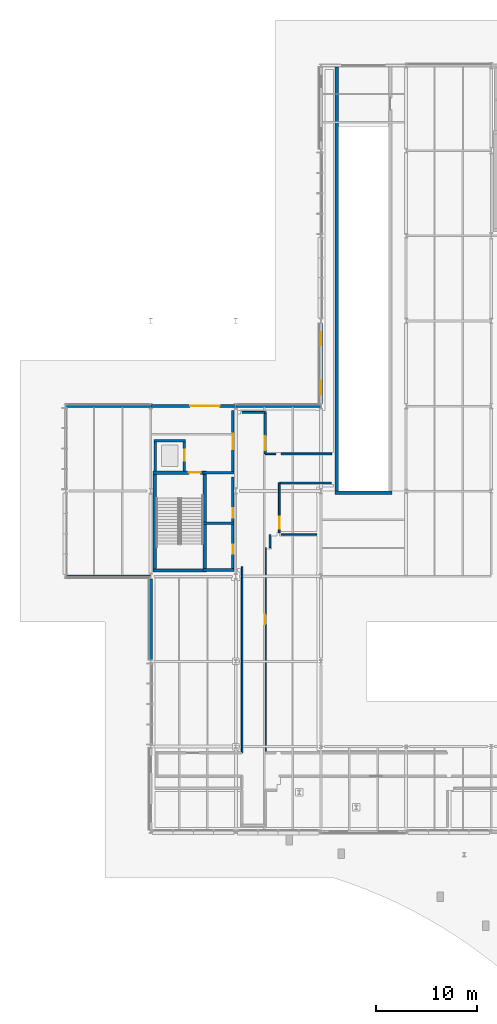
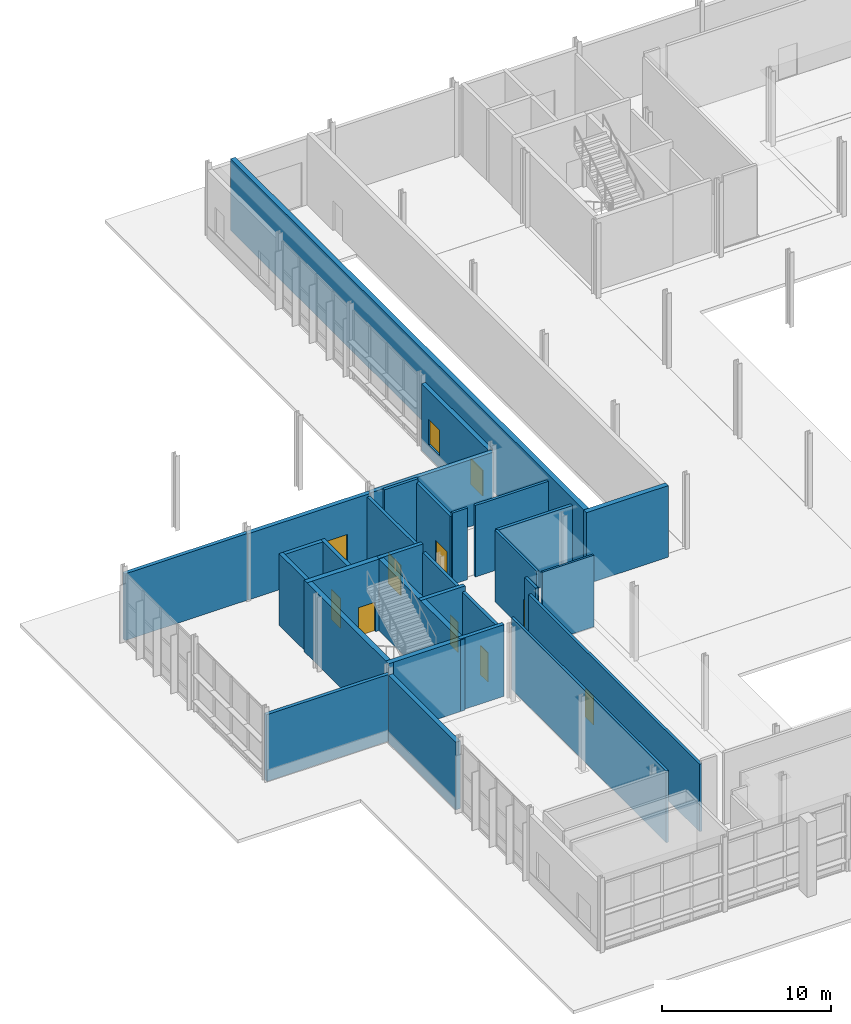
# One storey, part 88 of 124: 31 walls, 9 doors, 2 windows, 11 openings.
"""IFC4 building model written with IfcOpenShell, lengths in metres."""

import ifcopenshell
import ifcopenshell.guid

model = None  # the IFC model being written
_history = None  # IfcOwnerHistory: only IFC2X3 demands one
_inside = {}  # id of a spatial element -> (the spatial element, [elements in it])
_under = {}  # id of a project, library or spatial element -> (it, [spatial elements below it])
_declared = {}  # id of a project -> (the project, [libraries it declares])
_typed = {}  # id of a type object -> (the type object, [elements of that type])
_made_of = {}  # id of a material, layer set ... -> (it, [elements and type objects made of it])


def new_model(schema):
    """Start an empty IFC model of exactly this schema.

    Asked for "IFC4X3", IfcOpenShell would pick the latest addendum, in which some entities
    have other attributes; the version numbers below select the first issue.
    IFC2X3 requires an IfcOwnerHistory on every rooted entity: one is made here for all.
    """
    global model, _history
    if schema == "IFC4X3":
        model = ifcopenshell.file(schema_version=(4, 3, 0, 0))
    else:
        model = ifcopenshell.file(schema=schema)
    _inside.clear()
    _under.clear()
    _declared.clear()
    _typed.clear()
    _made_of.clear()
    _history = None
    if model.schema == "IFC2X3":
        org = make("IfcOrganization", Name="unknown")
        user = make(
            "IfcPersonAndOrganization",
            ThePerson=make("IfcPerson", FamilyName="unknown"),
            TheOrganization=org,
        )
        app = make(
            "IfcApplication",
            ApplicationDeveloper=org,
            Version="unknown",
            ApplicationFullName="unknown",
            ApplicationIdentifier="unknown",
        )
        _history = make(
            "IfcOwnerHistory",
            OwningUser=user,
            OwningApplication=app,
            ChangeAction="ADDED",
            CreationDate=0,
        )
    return model


def make(cls, **values):
    """One entity of the class cls with the attributes given. An attribute that is None is left unset."""
    return model.create_entity(
        cls, **{name: value for name, value in values.items() if value is not None}
    )


def rooted(cls, **values):
    """An entity with a GlobalId (a new one), such as an element, a storey or a relation."""
    return make(cls, GlobalId=ifcopenshell.guid.new(), OwnerHistory=_history, **values)


def si_unit(unit_type, name, prefix=None):
    """IfcSIUnit, for example si_unit("LENGTHUNIT", "METRE", prefix="MILLI")."""
    return make("IfcSIUnit", UnitType=unit_type, Prefix=prefix, Name=name)


def assignment(units):
    """IfcUnitAssignment: the units of a project."""
    return None if units is None else make("IfcUnitAssignment", Units=units)


def point(xyz):
    """IfcCartesianPoint."""
    return None if xyz is None else make("IfcCartesianPoint", Coordinates=xyz)


def direction(xyz):
    """IfcDirection."""
    return None if xyz is None else make("IfcDirection", DirectionRatios=xyz)


def frame(location, z_axis=None, x_axis=None):
    """IfcAxis2Placement3D, a coordinate frame: its origin and axes. An axis left out is left unset."""
    return make(
        "IfcAxis2Placement3D",
        Location=point(location),
        Axis=direction(z_axis),
        RefDirection=direction(x_axis),
    )


def frame_2d(location, x_axis=None):
    """IfcAxis2Placement2D, a coordinate frame in the plane: its origin and x axis."""
    return make(
        "IfcAxis2Placement2D", Location=point(location), RefDirection=direction(x_axis)
    )


def origin():
    """The frame at (0, 0, 0) with its axes left unset."""
    return frame((0.0, 0.0, 0.0))


def place(relative_to, where):
    """IfcLocalPlacement: puts the frame where relative to a parent placement (None: the world)."""
    return make(
        "IfcLocalPlacement", PlacementRelTo=relative_to, RelativePlacement=where
    )


def context(
    kind, dimensions, precision=None, world=None, true_north=None, identifier=None
):
    """IfcGeometricRepresentationContext, for example the 3D "Model" context."""
    return make(
        "IfcGeometricRepresentationContext",
        ContextIdentifier=identifier,
        ContextType=kind,
        CoordinateSpaceDimension=dimensions,
        Precision=precision,
        WorldCoordinateSystem=world,
        TrueNorth=true_north,
    )


def subcontext(parent, identifier, kind, view, scale=None):
    """IfcGeometricRepresentationSubContext, for example "Body" below "Model"."""
    return make(
        "IfcGeometricRepresentationSubContext",
        ContextIdentifier=identifier,
        ContextType=kind,
        ParentContext=parent,
        TargetScale=scale,
        TargetView=view,
    )


def project(units=None, contexts=None):
    """IfcProject with its units and contexts."""
    return rooted(
        "IfcProject",
        Name="project",
        RepresentationContexts=contexts,
        UnitsInContext=assignment(units),
    )


def spatial(cls, under=None, at=None, **own):
    """A site, building, storey or space (cls), placed at a placement, below another one or the project."""
    s = rooted(cls, ObjectPlacement=at, **own)
    if under is not None:
        _under.setdefault(under.id(), (under, []))[1].append(s)
    return s


def profile(cls, at=None, kind="AREA", **sizes):
    """A parametric profile (cls). Its sizes go by their IFC names, for example OverallWidth=200.0."""
    return make(cls, ProfileType=kind, Position=at, **sizes)


def rectangle(**sizes):
    """IfcRectangleProfileDef."""
    return profile("IfcRectangleProfileDef", **sizes)


def extrude(swept, where, along, depth):
    """IfcExtrudedAreaSolid: the profile swept, set in the frame where, extruded along a direction by depth."""
    return make(
        "IfcExtrudedAreaSolid",
        SweptArea=swept,
        Position=where,
        ExtrudedDirection=direction(along),
        Depth=depth,
    )


def shape(context_of_items, identifier, shape_type, items):
    """IfcShapeRepresentation: the items that make up one representation, for example the "Body"."""
    return make(
        "IfcShapeRepresentation",
        ContextOfItems=context_of_items,
        RepresentationIdentifier=identifier,
        RepresentationType=shape_type,
        Items=items,
    )


def material(Name=None, Category=None):
    """IfcMaterial."""
    return make("IfcMaterial", Name=Name, Category=Category)


def layer(
    of_material, thickness, ventilated=None, Name=None, Category=None, Priority=None
):
    """IfcMaterialLayer: one layer of a wall or slab, of a material (None: an air gap)."""
    return make(
        "IfcMaterialLayer",
        Material=of_material,
        LayerThickness=thickness,
        IsVentilated=ventilated,
        Name=Name,
        Category=Category,
        Priority=Priority,
    )


def layer_set(layers, Name=None):
    """IfcMaterialLayerSet."""
    return make("IfcMaterialLayerSet", MaterialLayers=layers, LayerSetName=Name)


def made_of(thing, what):
    """Note that an element or type object is made of a material, layer set ...; save() writes the relation."""
    if what is not None:
        _made_of.setdefault(what.id(), (what, []))[1].append(thing)
    return thing


def type_object(cls, material=None, **own):
    """A type object (cls), such as IfcWallType, which elements share."""
    return made_of(rooted(cls, **own), material)


def element(
    cls,
    number,
    at=None,
    inside=None,
    cuts=None,
    type_object=None,
    material=None,
    context=None,
    identifier="Body",
    shape_type=None,
    held_by="IfcProductDefinitionShape",
    body=None,
    shapes=None,
    **own,
):
    """One element of the class cls, such as IfcWall. Its Tag is "e" and its number.

    at: its placement. inside: the storey or other place that contains it. cuts: it is an
    opening in that element (IfcRelVoidsElement). A single representation is given by context,
    identifier, shape_type and body (its items); several are given by shapes. held_by: the class
    of the entity that holds the representations. save() writes the other relations.
    """
    e = rooted(cls, Tag="e%d" % number, ObjectPlacement=at, **own)
    if body is not None:
        shapes = [shape(context, identifier, shape_type, body)]
    if shapes is not None:
        e.Representation = make(held_by, Representations=shapes)
    if inside is not None:
        _inside.setdefault(inside.id(), (inside, []))[1].append(e)
    if cuts is not None:
        rooted(
            "IfcRelVoidsElement", RelatingBuildingElement=cuts, RelatedOpeningElement=e
        )
    if type_object is not None:
        _typed.setdefault(type_object.id(), (type_object, []))[1].append(e)
    return made_of(e, material)


def fill(opening, filler):
    """IfcRelFillsElement: the door or window that sits in an opening."""
    return rooted(
        "IfcRelFillsElement",
        RelatingOpeningElement=opening,
        RelatedBuildingElement=filler,
    )


def aggregate(whole, parts):
    """IfcRelAggregates: a whole, such as a stair, and the parts it consists of."""
    return rooted("IfcRelAggregates", RelatingObject=whole, RelatedObjects=parts)


def save(model, path):
    """Write the relations noted so far, then the file.

    IfcRelAggregates (storeys below a building ...), IfcRelContainedInSpatialStructure (elements
    in a storey), IfcRelDefinesByType, IfcRelAssociatesMaterial and IfcRelDeclares: one each for
    every whole, place, type object, material and project.
    """
    for whole, parts in _under.values():
        aggregate(whole, parts)
    for where, things in _inside.values():
        rooted(
            "IfcRelContainedInSpatialStructure",
            RelatedElements=things,
            RelatingStructure=where,
        )
    for kind, things in _typed.values():
        rooted("IfcRelDefinesByType", RelatedObjects=things, RelatingType=kind)
    for what, things in _made_of.values():
        rooted("IfcRelAssociatesMaterial", RelatedObjects=things, RelatingMaterial=what)
    for by, libraries in _declared.values():
        rooted("IfcRelDeclares", RelatingContext=by, RelatedDefinitions=libraries)
    model.write(path)


model = new_model("IFC4")

# Units and contexts
model_context = context("Model", 3, precision=1e-05, world=origin(), true_north=direction((0.0, 1.0)))
body_context = subcontext(model_context, "Body", "Model", "MODEL_VIEW")
ifc_project = project(units=[si_unit("LENGTHUNIT", "METRE"), si_unit("AREAUNIT", "SQUARE_METRE"), si_unit("VOLUMEUNIT", "CUBIC_METRE"), si_unit("PLANEANGLEUNIT", "RADIAN"), si_unit("MASSUNIT", "GRAM", prefix="KILO")], contexts=[model_context])

# Site, building, storey
site_placement = place(None, origin())
site = spatial("IfcSite", under=ifc_project, at=site_placement, CompositionType="ELEMENT")
building_placement = place(site_placement, origin())
building = spatial("IfcBuilding", under=site, at=building_placement, Name="Mersafa Astral City Hall", CompositionType="ELEMENT")
storey_placement = place(building_placement, origin())
storey = spatial("IfcBuildingStorey", under=building, at=storey_placement, Name="L00", CompositionType="ELEMENT", Elevation=0.0)

# Walls
ifc_material_1 = material(Name="Precast concrete C40/50 insulated terracotta spandrel", Category="masonry")
ifc_layer_1 = layer(ifc_material_1, 0.235107421875, Name="Precast concrete C40/50 insulated terracotta spandrel")
ifc_layer_set_1 = layer_set([ifc_layer_1], Name="Precast concrete C40/50 insulated terracotta spandrel — ENV-WAL-EXT-235")
wall_type_1 = type_object("IfcWallType", Name="ENV-WAL-EXT-235", PredefinedType="STANDARD", material=ifc_layer_set_1)
wall_1_placement = place(storey_placement, frame((0.008056640625, 75.60009765625, 0.0), z_axis=(0.0, 0.0, 1.0), x_axis=(1.0, 0.0, 0.0)))
element("IfcWall", 1, at=wall_1_placement, inside=storey, type_object=wall_type_1, Name="L00 Limestone-clad exterior wall 59", PredefinedType="STANDARD", context=body_context, shape_type="SweptSolid", body=[
    extrude(rectangle(XDim=8.384033203125, YDim=0.235107421875, at=frame_2d((4.19189453125, 0.0))), origin(), (0.0, 0.0, 1.0), 4.826904296875),
])
ifc_layer_2 = layer(ifc_material_1, 0.25, Name="Precast concrete C40/50 insulated terracotta spandrel")
ifc_layer_set_2 = layer_set([ifc_layer_2], Name="Precast concrete C40/50 insulated terracotta spandrel — ENV-WAL-EXT-250")
wall_type_2 = type_object("IfcWallType", Name="ENV-WAL-EXT-250", PredefinedType="STANDARD", material=ifc_layer_set_2)
wall_2_placement = place(storey_placement, frame((8.39208984375, 92.39990234375, 0.0), z_axis=(0.0, 0.0, 1.0), x_axis=(-1.0, 0.0, 0.0)))
element("IfcWall", 2, at=wall_2_placement, inside=storey, type_object=wall_type_2, Name="L00 Limestone-clad exterior wall 58", PredefinedType="STANDARD", context=body_context, shape_type="SweptSolid", body=[
    extrude(rectangle(XDim=8.384033203125, YDim=0.25, at=frame_2d((4.19189453125, 0.0))), origin(), (0.0, 0.0, 1.0), 4.826904296875),
])
ifc_material_2 = material(Name="Precast concrete C40/50 insulated limestone wall", Category="masonry")
ifc_layer_3 = layer(ifc_material_2, 0.280029296875, Name="Precast concrete C40/50 insulated limestone wall")
ifc_layer_set_3 = layer_set([ifc_layer_3], Name="Precast concrete C40/50 insulated limestone wall — ENV-WAL-EXT-280")
wall_type_3 = type_object("IfcWallType", Name="ENV-WAL-EXT-280", PredefinedType="STANDARD", material=ifc_layer_set_3)
wall_3_placement = place(storey_placement, frame((25.19189453125, 92.39990234375, 0.0), z_axis=(0.0, 0.0, 1.0), x_axis=(-1.0, 0.0, 0.0)))
element("IfcWall", 3, at=wall_3_placement, inside=storey, type_object=wall_type_3, Name="L00 Limestone-clad exterior wall 56", PredefinedType="STANDARD", context=body_context, shape_type="SweptSolid", body=[
    extrude(rectangle(XDim=8.3837890625, YDim=0.280029296875, at=frame_2d((4.19189453125, 0.0))), origin(), (0.0, 0.0, 1.0), 4.826904296875),
])

# Wall, openings, windows
ifc_layer_4 = layer(ifc_material_2, 0.294921875, Name="Precast concrete C40/50 insulated limestone wall")
ifc_layer_set_4 = layer_set([ifc_layer_4], Name="Precast concrete C40/50 insulated limestone wall — ENV-WAL-EXT-295")
wall_type_4 = type_object("IfcWallType", Name="ENV-WAL-EXT-295", PredefinedType="STANDARD", material=ifc_layer_set_4)
wall_4_placement = place(storey_placement, frame((25.199951171875, 100.553955078125, 0.0), z_axis=(0.0, 0.0, 1.0), x_axis=(0.0, -1.0, 0.0)))
wall_4 = element("IfcWall", 4, at=wall_4_placement, inside=storey, type_object=wall_type_4, Name="L00 Limestone-clad exterior wall 55", PredefinedType="STANDARD", context=body_context, shape_type="SweptSolid", body=[
    extrude(rectangle(XDim=7.907958984375, YDim=0.294921875, at=frame_2d((3.9541015625, 0.0))), origin(), (0.0, 0.0, 1.0), 4.797119140625),
])
opening_1_placement = place(wall_4_placement, frame((0.85009765625, 0.0, 0.89990234375)))
opening_1 = element("IfcOpeningElement", 5, at=opening_1_placement, cuts=wall_4, Name="Opening W-44", PredefinedType="OPENING", context=body_context, shape_type="SweptSolid", body=[
    extrude(rectangle(XDim=1.320068359375, YDim=1.85009765625, at=frame_2d((0.66015625, 0.925048828125))), frame((0.0, 0.157470703125, 0.0), z_axis=(0.0, -1.0, 0.0), x_axis=(1.0, 0.0, 0.0)), (0.0, 0.0, 1.0), 0.31494140625),
])
opening_2_placement = place(wall_4_placement, frame((5.637939453125, 0.0, 0.89990234375)))
opening_2 = element("IfcOpeningElement", 6, at=opening_2_placement, cuts=wall_4, Name="Opening W-45", PredefinedType="OPENING", context=body_context, shape_type="SweptSolid", body=[
    extrude(rectangle(XDim=1.419921875, YDim=1.85009765625, at=frame_2d((0.7099609375, 0.925048828125))), frame((0.0, 0.157470703125, 0.0), z_axis=(0.0, -1.0, 0.0), x_axis=(1.0, 0.0, 0.0)), (0.0, 0.0, 1.0), 0.31494140625),
])
ifc_material_3 = material(Name="Solar control low-e double glazing in bronze frame", Category="glass")
window_type_1 = type_object("IfcWindowType", Name="ENV-WIN-W-44", PartitioningType="SINGLE_PANEL", PredefinedType="WINDOW", material=ifc_material_3)
window_1_placement = place(opening_1_placement, origin())
window_1 = element("IfcWindow", 7, at=window_1_placement, inside=storey, type_object=window_type_1, Name="L00 Solar punched window 55-L", OverallHeight=1.85009765625, OverallWidth=1.320068359375, PartitioningType="SINGLE_PANEL", PredefinedType="WINDOW", context=body_context, shape_type="SweptSolid", body=[
    extrude(rectangle(XDim=1.320068359375, YDim=1.85009765625, at=frame_2d((0.66015625, 0.925048828125))), frame((0.0, 0.030029296875, 0.0), z_axis=(0.0, -1.0, 0.0), x_axis=(1.0, 0.0, 0.0)), (0.0, 0.0, 1.0), 0.06005859375),
])
fill(opening_1, window_1)
window_type_2 = type_object("IfcWindowType", Name="ENV-WIN-W-45", PartitioningType="SINGLE_PANEL", PredefinedType="WINDOW", material=ifc_material_3)
window_2_placement = place(opening_2_placement, origin())
window_2 = element("IfcWindow", 8, at=window_2_placement, inside=storey, type_object=window_type_2, Name="L00 Solar punched window 55-R", OverallHeight=1.85009765625, OverallWidth=1.419921875, PartitioningType="SINGLE_PANEL", PredefinedType="WINDOW", context=body_context, shape_type="SweptSolid", body=[
    extrude(rectangle(XDim=1.419921875, YDim=1.85009765625, at=frame_2d((0.7099609375, 0.925048828125))), frame((0.0, 0.030029296875, 0.0), z_axis=(0.0, -1.0, 0.0), x_axis=(1.0, 0.0, 0.0)), (0.0, 0.0, 1.0), 0.06005859375),
])
fill(opening_2, window_2)

# Wall, opening, door
wall_5_placement = place(storey_placement, frame((8.407958984375, 92.39990234375, 0.0), z_axis=(0.0, 0.0, 1.0), x_axis=(1.0, 0.0, 0.0)))
wall_5 = element("IfcWall", 9, at=wall_5_placement, inside=storey, type_object=wall_type_4, Name="L00 Protected lobby exit wall E10", PredefinedType="STANDARD", context=body_context, shape_type="SweptSolid", body=[
    extrude(rectangle(XDim=8.384033203125, YDim=0.294921875, at=frame_2d((4.19189453125, 0.0))), origin(), (0.0, 0.0, 1.0), 4.797119140625),
])
opening_3_placement = place(wall_5_placement, frame((3.89208984375, 0.0, 0.0)))
opening_3 = element("IfcOpeningElement", 10, at=opening_3_placement, cuts=wall_5, Name="Opening ED-4", PredefinedType="OPENING", context=body_context, shape_type="SweptSolid", body=[
    extrude(rectangle(XDim=2.89990234375, YDim=2.3798828125, at=frame_2d((1.449951171875, 1.18994140625))), frame((0.0, 0.157470703125, 0.0), z_axis=(0.0, -1.0, 0.0), x_axis=(1.0, 0.0, 0.0)), (0.0, 0.0, 1.0), 0.31494140625),
])
ifc_material_4 = material(Name="Fire-rated steel exit door pair", Category="steel")
door_type_1 = type_object("IfcDoorType", Name="ENV-DR-EXIT-FD90-2650", OperationType="NOTDEFINED", PredefinedType="DOOR", material=ifc_material_4)
door_1_placement = place(opening_3_placement, origin())
door_1 = element("IfcDoor", 11, at=door_1_placement, inside=storey, type_object=door_type_1, Name="Ground Final Exit Door E10", OperationType="DOUBLE_DOOR_SINGLE_SWING", OverallHeight=2.3798828125, OverallWidth=2.89990234375, PredefinedType="DOOR", context=body_context, shape_type="SweptSolid", body=[
    extrude(rectangle(XDim=2.89990234375, YDim=2.3798828125, at=frame_2d((1.449951171875, 1.18994140625))), frame((0.0, 0.02490234375, 0.0), z_axis=(0.0, -1.0, 0.0), x_axis=(1.0, 0.0, 0.0)), (0.0, 0.0, 1.0), 0.050048828125),
])
fill(opening_3, door_1)

# Walls
ifc_layer_5 = layer(ifc_material_2, 0.31005859375, Name="Precast concrete C40/50 insulated limestone wall")
ifc_layer_set_5 = layer_set([ifc_layer_5], Name="Precast concrete C40/50 insulated limestone wall — ENV-WAL-EXT-310")
wall_type_5 = type_object("IfcWallType", Name="ENV-WAL-EXT-310", PredefinedType="STANDARD", material=ifc_layer_set_5)
wall_6_placement = place(storey_placement, frame((8.39990234375, 75.35400390625, 0.0), z_axis=(0.0, 0.0, 1.0), x_axis=(0.0, -1.0, 0.0)))
element("IfcWall", 12, at=wall_6_placement, inside=storey, type_object=wall_type_5, Name="L00 Limestone-clad exterior wall 60", PredefinedType="STANDARD", context=body_context, shape_type="SweptSolid", body=[
    extrude(rectangle(XDim=8.008056640625, YDim=0.31005859375, at=frame_2d((4.00390625, 0.0))), origin(), (0.0, 0.0, 1.0), 4.886962890625),
])
ifc_material_5 = material(Name="Concrete C40/50", Category="concrete")
ifc_layer_6 = layer(ifc_material_5, 0.260009765625, Name="Concrete C40/50")
ifc_layer_set_6 = layer_set([ifc_layer_6], Name="Concrete C40/50 — INT-WAL-CORE-260")
wall_type_6 = type_object("IfcWallType", Name="INT-WAL-CORE-260", PredefinedType="SHEAR", material=ifc_layer_set_6)
wall_7_placement = place(storey_placement, frame((8.715087890625, 88.985107421875, 0.0), z_axis=(0.0, 0.0, 1.0), x_axis=(1.0, 0.0, 0.0)))
element("IfcWall", 13, at=wall_7_placement, inside=storey, type_object=wall_type_6, Name="L00 Lift LF8 north shaft wall", PredefinedType="SHEAR", context=body_context, shape_type="SweptSolid", body=[
    extrude(rectangle(XDim=3.1298828125, YDim=0.260009765625, at=frame_2d((1.56494140625, 0.0))), origin(), (0.0, 0.0, 1.0), 5.175048828125),
])
wall_8_placement = place(storey_placement, frame((8.844970703125, 85.9970703125, 0.0), z_axis=(0.0, 0.0, 1.0), x_axis=(0.0, 1.0, 0.0)))
element("IfcWall", 14, at=wall_8_placement, inside=storey, type_object=wall_type_6, Name="L00 Lift LF8 back shaft wall", PredefinedType="SHEAR", context=body_context, shape_type="SweptSolid", body=[
    extrude(rectangle(XDim=3.117919921875, YDim=0.260009765625, at=frame_2d((1.55908203125, 0.0))), origin(), (0.0, 0.0, 1.0), 5.175048828125),
])

# Wall, opening, door
wall_9_placement = place(storey_placement, frame((11.715087890625, 85.9970703125, 0.0), z_axis=(0.0, 0.0, 1.0), x_axis=(0.0, 1.0, 0.0)))
wall_9 = element("IfcWall", 15, at=wall_9_placement, inside=storey, type_object=wall_type_6, Name="L00 Lift LF8 front shaft wall", PredefinedType="SHEAR", context=body_context, shape_type="SweptSolid", body=[
    extrude(rectangle(XDim=3.117919921875, YDim=0.260009765625, at=frame_2d((1.55908203125, 0.0))), origin(), (0.0, 0.0, 1.0), 5.175048828125),
])
opening_4_placement = place(wall_9_placement, frame((1.009033203125, 0.0, 0.0)))
opening_4 = element("IfcOpeningElement", 16, at=opening_4_placement, cuts=wall_9, Name="Opening LD-1", PredefinedType="OPENING", context=body_context, shape_type="SweptSolid", body=[
    extrude(rectangle(XDim=1.10009765625, YDim=2.14990234375, at=frame_2d((0.550048828125, 1.074951171875))), frame((0.0, 0.139892578125, 0.0), z_axis=(0.0, -1.0, 0.0), x_axis=(1.0, 0.0, 0.0)), (0.0, 0.0, 1.0), 0.280029296875),
])
ifc_material_6 = material(Name="Stainless steel sliding lift landing door", Category="steel")
door_type_2 = type_object("IfcDoorType", Name="INT-DR-LIFT-LD1", OperationType="NOTDEFINED", PredefinedType="DOOR", material=ifc_material_6)
door_2_placement = place(opening_4_placement, origin())
door_2 = element("IfcDoor", 17, at=door_2_placement, inside=storey, type_object=door_type_2, Name="Elevator LF8 Sliding Landing Door L00", OperationType="DOUBLE_DOOR_SLIDING", OverallHeight=2.14990234375, OverallWidth=1.10009765625, PredefinedType="DOOR", context=body_context, shape_type="SweptSolid", body=[
    extrude(rectangle(XDim=1.10009765625, YDim=2.14990234375, at=frame_2d((0.550048828125, 1.074951171875))), frame((0.0, 0.02490234375, 0.0), z_axis=(0.0, -1.0, 0.0), x_axis=(1.0, 0.0, 0.0)), (0.0, 0.0, 1.0), 0.050048828125),
])
fill(opening_4, door_2)

# Walls
for number, where, z_axis, x_axis, name in (
    (18, (13.56494140625, 76.219970703125, 0.0), (0.0, 0.0, 1.0), (1.0, 0.0, 0.0), "L00 Core K6 riser south wall"),
    (19, (13.56494140625, 80.8349609375, 0.0), (0.0, 0.0, 1.0), (1.0, 0.0, 0.0), "L00 Core K6 riser-restroom divider wall"),
    (20, (13.56494140625, 85.8349609375, 0.0), (0.0, 0.0, 1.0), (1.0, 0.0, 0.0), "L00 Core K6 restroom-lobby divider wall"),
):
    element("IfcWall", number, at=place(storey_placement, frame(where, z_axis=z_axis, x_axis=x_axis)), inside=storey, type_object=wall_type_6, Name=name, PredefinedType="SHEAR", context=body_context, shape_type="SweptSolid", body=[
        extrude(rectangle(XDim=3.03515625, YDim=0.260009765625, at=frame_2d((1.517578125, 0.0))), origin(), (0.0, 0.0, 1.0), 5.175048828125),
    ])
ifc_layer_7 = layer(ifc_material_5, 0.340087890625, Name="Concrete C40/50")
ifc_layer_set_7 = layer_set([ifc_layer_7], Name="Concrete C40/50 — INT-WAL-CORE-340")
wall_type_7 = type_object("IfcWallType", Name="INT-WAL-CORE-340", PredefinedType="SHEAR", material=ifc_layer_set_7)
for number, where, z_axis, x_axis, name in (
    (21, (8.804931640625, 76.0048828125, 0.0), (0.0, 0.0, 1.0), (0.0, 1.0, 0.0), "L00 Core K6 stair west shear wall"),
    (22, (13.715087890625, 76.0048828125, 0.0), (0.0, 0.0, 1.0), (0.0, 1.0, 0.0), "L00 Core K6 stair east shear wall"),
):
    element("IfcWall", number, at=place(storey_placement, frame(where, z_axis=z_axis, x_axis=x_axis)), inside=storey, type_object=wall_type_7, Name=name, PredefinedType="SHEAR", context=body_context, shape_type="SweptSolid", body=[
        extrude(rectangle(XDim=9.990234375, YDim=0.340087890625, at=frame_2d((4.9951171875, 0.0))), origin(), (0.0, 0.0, 1.0), 5.175048828125),
    ])
wall_10_placement = place(storey_placement, frame((8.635009765625, 76.175048828125, 0.0), z_axis=(0.0, 0.0, 1.0), x_axis=(1.0, 0.0, 0.0)))
element("IfcWall", 23, at=wall_10_placement, inside=storey, type_object=wall_type_7, Name="L00 Core K6 stair south shear wall", PredefinedType="SHEAR", context=body_context, shape_type="SweptSolid", body=[
    extrude(rectangle(XDim=5.25, YDim=0.340087890625, at=frame_2d((2.625, 0.0))), origin(), (0.0, 0.0, 1.0), 5.175048828125),
])

# Wall, opening, door
wall_11_placement = place(storey_placement, frame((8.635009765625, 85.824951171875, 0.0), z_axis=(0.0, 0.0, 1.0), x_axis=(1.0, 0.0, 0.0)))
wall_11 = element("IfcWall", 24, at=wall_11_placement, inside=storey, type_object=wall_type_7, Name="L00 Core K6 stair-lobby fire wall", PredefinedType="SHEAR", context=body_context, shape_type="SweptSolid", body=[
    extrude(rectangle(XDim=5.25, YDim=0.340087890625, at=frame_2d((2.625, 0.0))), origin(), (0.0, 0.0, 1.0), 5.175048828125),
])
opening_5_placement = place(wall_11_placement, frame((3.534912109375, 0.0, 0.0)))
opening_5 = element("IfcOpeningElement", 25, at=opening_5_placement, cuts=wall_11, Name="Opening CD-1", PredefinedType="OPENING", context=body_context, shape_type="SweptSolid", body=[
    extrude(rectangle(XDim=1.14990234375, YDim=2.14990234375, at=frame_2d((0.574951171875, 1.074951171875))), frame((0.0, 0.179931640625, 0.0), z_axis=(0.0, -1.0, 0.0), x_axis=(1.0, 0.0, 0.0)), (0.0, 0.0, 1.0), 0.360107421875),
])
ifc_material_7 = material(Name="Fire-rated steel stair door", Category="steel")
door_type_3 = type_object("IfcDoorType", Name="INT-DR-STAIR-FD90-1150", OperationType="NOTDEFINED", PredefinedType="DOOR", material=ifc_material_7)
door_3_placement = place(opening_5_placement, origin())
door_3 = element("IfcDoor", 26, at=door_3_placement, inside=storey, type_object=door_type_3, Name="L00 Protected Stair ST6 Door", OperationType="SINGLE_SWING_LEFT", OverallHeight=2.14990234375, OverallWidth=1.14990234375, PredefinedType="DOOR", context=body_context, shape_type="SweptSolid", body=[
    extrude(rectangle(XDim=1.14990234375, YDim=2.14990234375, at=frame_2d((0.574951171875, 1.074951171875))), frame((0.0, 0.02490234375, 0.0), z_axis=(0.0, -1.0, 0.0), x_axis=(1.0, 0.0, 0.0)), (0.0, 0.0, 1.0), 0.050048828125),
])
fill(opening_5, door_3)

# Walls
wall_12_placement = place(storey_placement, frame((26.77490234375, 83.659912109375, 0.0), z_axis=(0.0, 0.0, 1.0), x_axis=(0.0, 1.0, 0.0)))
element("IfcWall", 27, at=wall_12_placement, inside=storey, type_object=wall_type_7, Name="L00 Service ramp W enclosure shear wall", PredefinedType="SHEAR", context=body_context, shape_type="SweptSolid", body=[
    extrude(rectangle(XDim=42.190185546875, YDim=0.340087890625, at=frame_2d((21.09521484375, 0.0))), origin(), (0.0, 0.0, 1.0), 5.175048828125),
])
wall_13_placement = place(storey_placement, frame((26.60498046875, 83.830078125, 0.0), z_axis=(0.0, 0.0, 1.0), x_axis=(1.0, 0.0, 0.0)))
element("IfcWall", 28, at=wall_13_placement, inside=storey, type_object=wall_type_7, Name="L00 Service ramp south headwall", PredefinedType="SHEAR", context=body_context, shape_type="SweptSolid", body=[
    extrude(rectangle(XDim=5.590087890625, YDim=0.340087890625, at=frame_2d((2.794921875, 0.0))), origin(), (0.0, 0.0, 1.0), 5.175048828125),
])
ifc_material_8 = material(Name="Acoustic steel-stud gypsum partition", Category="steel")
ifc_layer_8 = layer(ifc_material_8, 0.135009765625, Name="Acoustic steel-stud gypsum partition")
ifc_layer_set_8 = layer_set([ifc_layer_8], Name="Acoustic steel-stud gypsum partition — INT-WAL-PART-EI30-135")
wall_type_8 = type_object("IfcWallType", Name="INT-WAL-PART-EI30-135", PredefinedType="STANDARD", material=ifc_layer_set_8)
wall_14_placement = place(storey_placement, frame((21.260009765625, 79.7099609375, -0.00390625), z_axis=(0.0, 0.0, 1.0), x_axis=(1.0, 0.0, 0.0)))
element("IfcWall", 29, at=wall_14_placement, inside=storey, type_object=wall_type_8, Name="L00 Interior partition wall 175", PredefinedType="STANDARD", context=body_context, shape_type="SweptSolid", body=[
    extrude(rectangle(XDim=3.52001953125, YDim=0.135009765625, at=frame_2d((1.760009765625, 0.0))), origin(), (0.0, 0.0, 1.0), 5.178955078125),
])
ifc_material_9 = material(Name="Fire-rated gypsum stud partition", Category="gypsum")
ifc_layer_9 = layer(ifc_material_9, 0.1650390625, Name="Fire-rated gypsum stud partition")
ifc_layer_set_9 = layer_set([ifc_layer_9], Name="Fire-rated gypsum stud partition — INT-WAL-PART-EI60-165")
wall_type_9 = type_object("IfcWallType", Name="INT-WAL-PART-EI60-165", PredefinedType="STANDARD", material=ifc_layer_set_9)
wall_15_placement = place(storey_placement, frame((17.419921875, 76.52001953125, -0.00390625), z_axis=(0.0, 0.0, 1.0), x_axis=(0.0, -1.0, 0.0)))
element("IfcWall", 30, at=wall_15_placement, inside=storey, type_object=wall_type_9, Name="L00 Interior partition wall 139", PredefinedType="STANDARD", context=body_context, shape_type="SweptSolid", body=[
    extrude(rectangle(XDim=18.340087890625, YDim=0.1650390625, at=frame_2d((9.169921875, 0.0))), origin(), (0.0, 0.0, 1.0), 5.178955078125),
])
wall_16_placement = place(storey_placement, frame((20.739990234375, 87.679931640625, -0.00390625), z_axis=(0.0, 0.0, 1.0), x_axis=(-1.0, 0.0, 0.0)))
element("IfcWall", 31, at=wall_16_placement, inside=storey, type_object=wall_type_9, Name="L00 Interior partition wall 235", PredefinedType="STANDARD", context=body_context, shape_type="SweptSolid", body=[
    extrude(rectangle(XDim=1.0400390625, YDim=0.1650390625, at=frame_2d((0.52001953125, 0.0))), origin(), (0.0, 0.0, 1.0), 5.178955078125),
])

# Wall, opening, door
wall_17_placement = place(storey_placement, frame((21.090087890625, 79.889892578125, -0.00390625), z_axis=(0.0, 0.0, 1.0), x_axis=(0.0, 1.0, 0.0)))
wall_17 = element("IfcWall", 32, at=wall_17_placement, inside=storey, type_object=wall_type_9, Name="L00 Interior partition wall 259", PredefinedType="STANDARD", context=body_context, shape_type="SweptSolid", body=[
    extrude(rectangle(XDim=4.93017578125, YDim=0.1650390625, at=frame_2d((2.465087890625, 0.0))), origin(), (0.0, 0.0, 1.0), 5.178955078125),
])
opening_6_placement = place(wall_17_placement, frame((0.39599609375, 0.0, 0.0)))
opening_6 = element("IfcOpeningElement", 33, at=opening_6_placement, cuts=wall_17, Name="Opening D-23", PredefinedType="OPENING", context=body_context, shape_type="SweptSolid", body=[
    extrude(rectangle(XDim=1.179931640625, YDim=2.219970703125, at=frame_2d((0.58984375, 1.10986328125))), frame((0.0, 0.092529296875, 0.0), z_axis=(0.0, -1.0, 0.0), x_axis=(1.0, 0.0, 0.0)), (0.0, 0.0, 1.0), 0.18505859375),
])
ifc_material_10 = material(Name="Cedar veneered acoustic fire-rated timber door", Category="wood")
door_type_4 = type_object("IfcDoorType", Name="INT-DR-RM-D-23", OperationType="NOTDEFINED", PredefinedType="DOOR", material=ifc_material_10)
door_4_placement = place(opening_6_placement, origin())
door_4 = element("IfcDoor", 34, at=door_4_placement, inside=storey, type_object=door_type_4, Name="L00 Civic Exhibition Gallery L00-33 Entrance Door", OperationType="SINGLE_SWING_LEFT", OverallHeight=2.219970703125, OverallWidth=1.179931640625, PredefinedType="DOOR", context=body_context, shape_type="SweptSolid", body=[
    extrude(rectangle(XDim=1.179931640625, YDim=2.219970703125, at=frame_2d((0.58984375, 1.10986328125))), frame((0.0, 0.02490234375, 0.0), z_axis=(0.0, -1.0, 0.0), x_axis=(1.0, 0.0, 0.0)), (0.0, 0.0, 1.0), 0.050048828125),
])
fill(opening_6, door_4)

# Wall
ifc_material_11 = material(Name="Acoustic twin-stud gypsum partition", Category="gypsum")
ifc_layer_10 = layer(ifc_material_11, 0.179931640625, Name="Acoustic twin-stud gypsum partition")
ifc_layer_set_10 = layer_set([ifc_layer_10], Name="Acoustic twin-stud gypsum partition — INT-WAL-PART-EI60-180")
wall_type_10 = type_object("IfcWallType", Name="INT-WAL-PART-EI60-180", PredefinedType="STANDARD", material=ifc_layer_set_10)
wall_18_placement = place(storey_placement, frame((20.179931640625, 78.419921875, -0.00390625), z_axis=(0.0, 0.0, 1.0), x_axis=(0.0, 1.0, 0.0)))
element("IfcWall", 35, at=wall_18_placement, inside=storey, type_object=wall_type_10, Name="L00 Interior partition wall 174", PredefinedType="STANDARD", context=body_context, shape_type="SweptSolid", body=[
    extrude(rectangle(XDim=1.2900390625, YDim=0.179931640625, at=frame_2d((0.64501953125, 0.0))), origin(), (0.0, 0.0, 1.0), 5.178955078125),
])

# Wall, opening, door
wall_19_placement = place(storey_placement, frame((19.699951171875, 58.179931640625, -0.00390625), z_axis=(0.0, 0.0, 1.0), x_axis=(0.0, 1.0, 0.0)))
wall_19 = element("IfcWall", 36, at=wall_19_placement, inside=storey, type_object=wall_type_10, Name="L00 Interior partition wall 178", PredefinedType="STANDARD", context=body_context, shape_type="SweptSolid", body=[
    extrude(rectangle(XDim=20.239990234375, YDim=0.179931640625, at=frame_2d((10.1201171875, 0.0))), origin(), (0.0, 0.0, 1.0), 4.890869140625),
])
opening_7_placement = place(wall_19_placement, frame((12.666015625, 0.0, 0.0)))
opening_7 = element("IfcOpeningElement", 37, at=opening_7_placement, cuts=wall_19, Name="Opening D-02", PredefinedType="OPENING", context=body_context, shape_type="SweptSolid", body=[
    extrude(rectangle(XDim=0.97998046875, YDim=2.06005859375, at=frame_2d((0.489990234375, 1.030029296875))), frame((0.0, 0.099853515625, 0.0), z_axis=(0.0, -1.0, 0.0), x_axis=(1.0, 0.0, 0.0)), (0.0, 0.0, 1.0), 0.199951171875),
])
door_type_5 = type_object("IfcDoorType", Name="INT-DR-RM-D-02", OperationType="NOTDEFINED", PredefinedType="DOOR", material=ifc_material_10)
door_5_placement = place(opening_7_placement, origin())
door_5 = element("IfcDoor", 38, at=door_5_placement, inside=storey, type_object=door_type_5, Name="L00 Municipal Licensing Counter Hall L00-12 Entrance Door", OperationType="SINGLE_SWING_RIGHT", OverallHeight=2.06005859375, OverallWidth=0.97998046875, PredefinedType="DOOR", context=body_context, shape_type="SweptSolid", body=[
    extrude(rectangle(XDim=0.97998046875, YDim=2.06005859375, at=frame_2d((0.489990234375, 1.030029296875))), frame((0.0, 0.02490234375, 0.0), z_axis=(0.0, -1.0, 0.0), x_axis=(1.0, 0.0, 0.0)), (0.0, 0.0, 1.0), 0.050048828125),
])
fill(opening_7, door_5)

# Walls
wall_20_placement = place(storey_placement, frame((26.260009765625, 87.679931640625, -0.00390625), z_axis=(0.0, 0.0, 1.0), x_axis=(-1.0, 0.0, 0.0)))
element("IfcWall", 39, at=wall_20_placement, inside=storey, type_object=wall_type_10, Name="L00 Interior partition wall 234", PredefinedType="STANDARD", context=body_context, shape_type="SweptSolid", body=[
    extrude(rectangle(XDim=5.0, YDim=0.179931640625, at=frame_2d((2.5, 0.0))), origin(), (0.0, 0.0, 1.0), 5.178955078125),
])
ifc_layer_11 = layer(ifc_material_11, 0.195068359375, Name="Acoustic twin-stud gypsum partition")
ifc_layer_set_11 = layer_set([ifc_layer_11], Name="Acoustic twin-stud gypsum partition — INT-WAL-PART-EI60-195")
wall_type_11 = type_object("IfcWallType", Name="INT-WAL-PART-EI60-195", PredefinedType="STANDARD", material=ifc_layer_set_11)
wall_21_placement = place(storey_placement, frame((19.699951171875, 91.780029296875, -0.00390625), z_axis=(0.0, 0.0, 1.0), x_axis=(-1.0, 0.0, 0.0)))
element("IfcWall", 40, at=wall_21_placement, inside=storey, type_object=wall_type_11, Name="L00 Interior partition wall 237", PredefinedType="STANDARD", context=body_context, shape_type="SweptSolid", body=[
    extrude(rectangle(XDim=2.280029296875, YDim=0.195068359375, at=frame_2d((1.14013671875, 0.0))), origin(), (0.0, 0.0, 1.0), 5.178955078125),
])

# Wall, opening, door
ifc_material_12 = material(Name="Autoclaved aerated concrete blockwork plastered", Category="masonry")
ifc_layer_12 = layer(ifc_material_12, 0.2099609375, Name="Autoclaved aerated concrete blockwork plastered")
ifc_layer_set_12 = layer_set([ifc_layer_12], Name="Autoclaved aerated concrete blockwork plastered — INT-WAL-PART-EI60-210")
wall_type_12 = type_object("IfcWallType", Name="INT-WAL-PART-EI60-210", PredefinedType="STANDARD", material=ifc_layer_set_12)
wall_22_placement = place(storey_placement, frame((16.5, 76.219970703125, 0.0), z_axis=(0.0, 0.0, 1.0), x_axis=(0.0, 1.0, 0.0)))
wall_22 = element("IfcWall", 41, at=wall_22_placement, inside=storey, type_object=wall_type_12, Name="L00 Core K6 riser corridor partition", PredefinedType="STANDARD", context=body_context, shape_type="SweptSolid", body=[
    extrude(rectangle(XDim=4.590087890625, YDim=0.2099609375, at=frame_2d((2.294921875, 0.0))), origin(), (0.0, 0.0, 1.0), 4.806884765625),
])
opening_8_placement = place(wall_22_placement, frame((1.60009765625, 0.0, 0.0)))
opening_8 = element("IfcOpeningElement", 42, at=opening_8_placement, cuts=wall_22, Name="Opening CD-5", PredefinedType="OPENING", context=body_context, shape_type="SweptSolid", body=[
    extrude(rectangle(XDim=0.89990234375, YDim=2.10009765625, at=frame_2d((0.449951171875, 1.050048828125))), frame((0.0, 0.114990234375, 0.0), z_axis=(0.0, -1.0, 0.0), x_axis=(1.0, 0.0, 0.0)), (0.0, 0.0, 1.0), 0.22998046875),
])
ifc_material_13 = material(Name="Fire-rated steel riser access door", Category="steel")
door_type_6 = type_object("IfcDoorType", Name="INT-DR-RISER-FD60-900", OperationType="NOTDEFINED", PredefinedType="DOOR", material=ifc_material_13)
door_6_placement = place(opening_8_placement, origin())
door_6 = element("IfcDoor", 43, at=door_6_placement, inside=storey, type_object=door_type_6, Name="L00 K6 MEP Riser Access Door", OperationType="SINGLE_SWING_RIGHT", OverallHeight=2.10009765625, OverallWidth=0.89990234375, PredefinedType="DOOR", context=body_context, shape_type="SweptSolid", body=[
    extrude(rectangle(XDim=0.89990234375, YDim=2.10009765625, at=frame_2d((0.449951171875, 1.050048828125))), frame((0.0, 0.02490234375, 0.0), z_axis=(0.0, -1.0, 0.0), x_axis=(1.0, 0.0, 0.0)), (0.0, 0.0, 1.0), 0.050048828125),
])
fill(opening_8, door_6)

wall_23_placement = place(storey_placement, frame((16.5, 80.919921875, 0.0), z_axis=(0.0, 0.0, 1.0), x_axis=(0.0, 1.0, 0.0)))
wall_23 = element("IfcWall", 44, at=wall_23_placement, inside=storey, type_object=wall_type_12, Name="L00 Core K6 accessible WC corridor partition", PredefinedType="STANDARD", context=body_context, shape_type="SweptSolid", body=[
    extrude(rectangle(XDim=4.47998046875, YDim=0.2099609375, at=frame_2d((2.239990234375, 0.0))), origin(), (0.0, 0.0, 1.0), 4.806884765625),
])
opening_9_placement = place(wall_23_placement, frame((0.449951171875, 0.0, 0.0)))
opening_9 = element("IfcOpeningElement", 45, at=opening_9_placement, cuts=wall_23, Name="Opening CD-4", PredefinedType="OPENING", context=body_context, shape_type="SweptSolid", body=[
    extrude(rectangle(XDim=0.949951171875, YDim=2.14990234375, at=frame_2d((0.47509765625, 1.074951171875))), frame((0.0, 0.114990234375, 0.0), z_axis=(0.0, -1.0, 0.0), x_axis=(1.0, 0.0, 0.0)), (0.0, 0.0, 1.0), 0.22998046875),
])
ifc_material_14 = material(Name="Accessible timber acoustic WC door", Category="wood")
door_type_7 = type_object("IfcDoorType", Name="INT-DR-WC-FD30-950", OperationType="NOTDEFINED", PredefinedType="DOOR", material=ifc_material_14)
door_7_placement = place(opening_9_placement, origin())
door_7 = element("IfcDoor", 46, at=door_7_placement, inside=storey, type_object=door_type_7, Name="L00 K6 Accessible Restroom Door", OperationType="SINGLE_SWING_LEFT", OverallHeight=2.14990234375, OverallWidth=0.949951171875, PredefinedType="DOOR", context=body_context, shape_type="SweptSolid", body=[
    extrude(rectangle(XDim=0.949951171875, YDim=2.14990234375, at=frame_2d((0.47509765625, 1.074951171875))), frame((0.0, 0.02490234375, 0.0), z_axis=(0.0, -1.0, 0.0), x_axis=(1.0, 0.0, 0.0)), (0.0, 0.0, 1.0), 0.050048828125),
])
fill(opening_9, door_7)

wall_24_placement = place(storey_placement, frame((16.5, 85.840087890625, 0.0), z_axis=(0.0, 0.0, 1.0), x_axis=(0.0, 1.0, 0.0)))
wall_24 = element("IfcWall", 47, at=wall_24_placement, inside=storey, type_object=wall_type_12, Name="L00 Core K6 lobby corridor partition", PredefinedType="STANDARD", context=body_context, shape_type="SweptSolid", body=[
    extrude(rectangle(XDim=6.119873046875, YDim=0.2099609375, at=frame_2d((3.06005859375, 0.0))), origin(), (0.0, 0.0, 1.0), 4.846923828125),
])
opening_10_placement = place(wall_24_placement, frame((2.31005859375, 0.0, 0.0)))
opening_10 = element("IfcOpeningElement", 48, at=opening_10_placement, cuts=wall_24, Name="Opening CD-3", PredefinedType="OPENING", context=body_context, shape_type="SweptSolid", body=[
    extrude(rectangle(XDim=1.5, YDim=2.199951171875, at=frame_2d((0.75, 1.10009765625))), frame((0.0, 0.114990234375, 0.0), z_axis=(0.0, -1.0, 0.0), x_axis=(1.0, 0.0, 0.0)), (0.0, 0.0, 1.0), 0.22998046875),
])
ifc_material_15 = material(Name="Fire-rated glazed lobby door pair", Category="metal")
door_type_8 = type_object("IfcDoorType", Name="INT-DR-LOBBY-FD90-1500", OperationType="NOTDEFINED", PredefinedType="DOOR", material=ifc_material_15)
door_8_placement = place(opening_10_placement, origin())
door_8 = element("IfcDoor", 49, at=door_8_placement, inside=storey, type_object=door_type_8, Name="L00 K6 Lift Lobby Fire Door", OperationType="DOUBLE_DOOR_SINGLE_SWING", OverallHeight=2.199951171875, OverallWidth=1.5, PredefinedType="DOOR", context=body_context, shape_type="SweptSolid", body=[
    extrude(rectangle(XDim=1.5, YDim=2.199951171875, at=frame_2d((0.75, 1.10009765625))), frame((0.0, 0.02490234375, 0.0), z_axis=(0.0, -1.0, 0.0), x_axis=(1.0, 0.0, 0.0)), (0.0, 0.0, 1.0), 0.050048828125),
])
fill(opening_10, door_8)

wall_25_placement = place(storey_placement, frame((19.699951171875, 87.679931640625, -0.00390625), z_axis=(0.0, 0.0, 1.0), x_axis=(0.0, 1.0, 0.0)))
wall_25 = element("IfcWall", 50, at=wall_25_placement, inside=storey, type_object=wall_type_12, Name="L00 Interior partition wall 236", PredefinedType="STANDARD", context=body_context, shape_type="SweptSolid", body=[
    extrude(rectangle(XDim=4.10009765625, YDim=0.2099609375, at=frame_2d((2.050048828125, 0.0))), origin(), (0.0, 0.0, 1.0), 4.9208984375),
])
opening_11_placement = place(wall_25_placement, frame((0.360107421875, 0.0, 0.0)))
opening_11 = element("IfcOpeningElement", 51, at=opening_11_placement, cuts=wall_25, Name="Opening D-16", PredefinedType="OPENING", context=body_context, shape_type="SweptSolid", body=[
    extrude(rectangle(XDim=1.39990234375, YDim=2.139892578125, at=frame_2d((0.699951171875, 1.06982421875))), frame((0.0, 0.114990234375, 0.0), z_axis=(0.0, -1.0, 0.0), x_axis=(1.0, 0.0, 0.0)), (0.0, 0.0, 1.0), 0.22998046875),
])
door_type_9 = type_object("IfcDoorType", Name="INT-DR-RM-D-16", OperationType="NOTDEFINED", PredefinedType="DOOR", material=ifc_material_10)
door_9_placement = place(opening_11_placement, origin())
door_9 = element("IfcDoor", 52, at=door_9_placement, inside=storey, type_object=door_type_9, Name="L00 Civil Registry Reception Hall L00-26 Entrance Door", OperationType="SINGLE_SWING_RIGHT", OverallHeight=2.139892578125, OverallWidth=1.39990234375, PredefinedType="DOOR", context=body_context, shape_type="SweptSolid", body=[
    extrude(rectangle(XDim=1.39990234375, YDim=2.139892578125, at=frame_2d((0.699951171875, 1.06982421875))), frame((0.0, 0.02490234375, 0.0), z_axis=(0.0, -1.0, 0.0), x_axis=(1.0, 0.0, 0.0)), (0.0, 0.0, 1.0), 0.050048828125),
])
fill(opening_11, door_9)

# Wall
wall_26_placement = place(storey_placement, frame((21.090087890625, 84.820068359375, -0.00390625), z_axis=(0.0, 0.0, 1.0), x_axis=(1.0, 0.0, 0.0)))
element("IfcWall", 53, at=wall_26_placement, inside=storey, type_object=wall_type_12, Name="L00 Interior partition wall 260", PredefinedType="STANDARD", context=body_context, shape_type="SweptSolid", body=[
    extrude(rectangle(XDim=5.169921875, YDim=0.2099609375, at=frame_2d((2.5849609375, 0.0))), origin(), (0.0, 0.0, 1.0), 5.178955078125),
])

save(model, "model.ifc")
